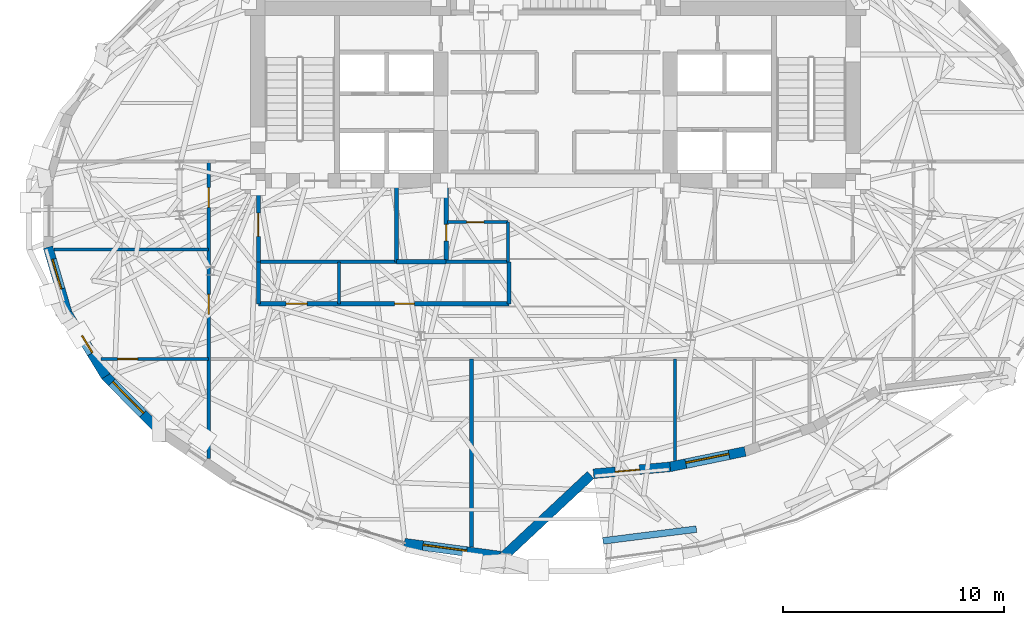
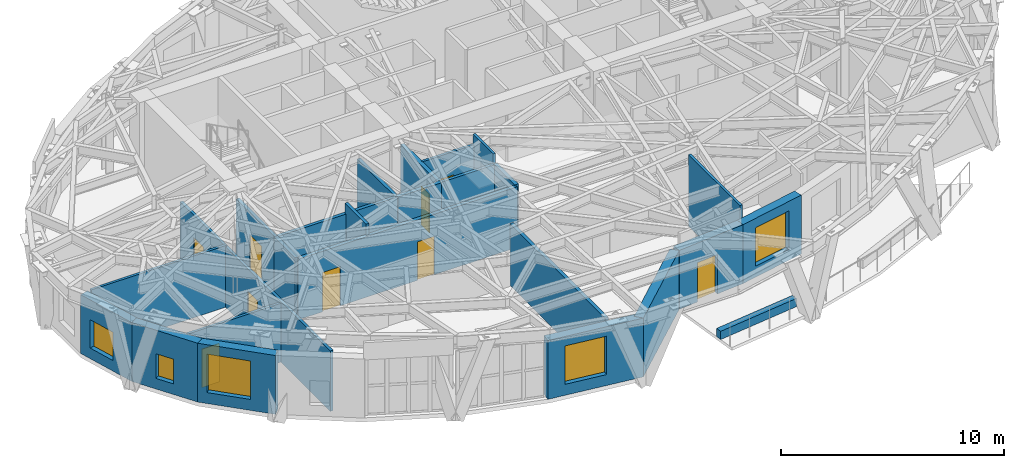
# One storey, part 8 of 15: 25 walls, 9 doors, 5 windows, 14 openings.
"""IFC4 building model written with IfcOpenShell, lengths in metres."""

from ifc_helpers import new_model, si_unit, direction, frame, frame_2d, origin, place, context, subcontext, project, spatial, rectangle, extrude, material, layer, layer_set, type_object, element, fill, save


model = new_model("IFC4")

# Units and contexts
model_context = context("Model", 3, precision=1e-05, world=origin(), true_north=direction((0.0, 1.0)))
body_context = subcontext(model_context, "Body", "Model", "MODEL_VIEW")
ifc_project = project(units=[si_unit("LENGTHUNIT", "METRE"), si_unit("AREAUNIT", "SQUARE_METRE"), si_unit("VOLUMEUNIT", "CUBIC_METRE"), si_unit("PLANEANGLEUNIT", "RADIAN"), si_unit("MASSUNIT", "GRAM", prefix="KILO")], contexts=[model_context])

# Site, building, storey
site_placement = place(None, origin())
site = spatial("IfcSite", under=ifc_project, at=site_placement, CompositionType="ELEMENT")
building_placement = place(site_placement, origin())
building = spatial("IfcBuilding", under=site, at=building_placement, Name="Keldmark Tower", CompositionType="ELEMENT")
storey_placement = place(building_placement, frame((0.0, 0.0, 205.89990234375)))
storey = spatial("IfcBuildingStorey", under=building, at=storey_placement, Name="L57", CompositionType="ELEMENT", Elevation=205.89990234375)

# Wall, openings, doors
ifc_material_1 = material(Name="Acoustic Double-Layer Gypsum Corridor Partition", Category="gypsum")
ifc_layer_1 = layer(ifc_material_1, 0.139892578125)
ifc_layer_set_1 = layer_set([ifc_layer_1], Name="Acoustic Double-Layer Gypsum Corridor Partition")
wall_type_1 = type_object("IfcWallType", Name="Acoustic Corridor Partition 140 mm", PredefinedType="PARTITIONING", material=ifc_layer_set_1)
wall_1_placement = place(storey_placement, frame((-15.699951171875, -11.04931640625, 0.0), z_axis=(0.0, 0.0, 1.0), x_axis=(0.0, 1.0, 0.0)))
wall_1 = element("IfcWall", 1, at=wall_1_placement, inside=storey, type_object=wall_type_1, Name="L57 Acoustic Corridor Partition 140 mm COR-W", PredefinedType="PARTITIONING", context=body_context, shape_type="SweptSolid", body=[
    extrude(rectangle(XDim=13.44921875, YDim=0.139892578125, at=frame_2d((6.724609375, 0.0))), origin(), (0.0, 0.0, 1.0), 3.30712890625),
])
opening_1_placement = place(wall_1_placement, frame((6.5244140625, 0.0, 0.0)))
opening_1 = element("IfcOpeningElement", 2, at=opening_1_placement, cuts=wall_1, Name="Opening D-IN090", PredefinedType="OPENING", context=body_context, shape_type="SweptSolid", body=[
    extrude(rectangle(XDim=0.89990234375, YDim=2.10009765625, at=frame_2d((0.449951171875, 1.050048828125))), frame((0.0, 0.079833984375, 0.0), z_axis=(0.0, -1.0, 0.0), x_axis=(1.0, 0.0, 0.0)), (0.0, 0.0, 1.0), 0.159912109375),
])
opening_2_placement = place(wall_1_placement, frame((11.359619140625, 0.0, 0.0)))
opening_2 = element("IfcOpeningElement", 3, at=opening_2_placement, cuts=wall_1, Name="Opening D-IN090", PredefinedType="OPENING", context=body_context, shape_type="SweptSolid", body=[
    extrude(rectangle(XDim=0.89990234375, YDim=2.10009765625, at=frame_2d((0.449951171875, 1.050048828125))), frame((0.0, 0.079833984375, 0.0), z_axis=(0.0, -1.0, 0.0), x_axis=(1.0, 0.0, 0.0)), (0.0, 0.0, 1.0), 0.159912109375),
])
ifc_material_2 = material(Name="Stained American White Oak Veneer", Category="wood")
door_type_1 = type_object("IfcDoorType", Name="Interior Door 900x2100", OperationType="NOTDEFINED", PredefinedType="DOOR", material=ifc_material_2)
door_1_placement = place(opening_1_placement, origin())
door_1 = element("IfcDoor", 4, at=door_1_placement, inside=storey, type_object=door_type_1, Name="L57 Interior Door 900x2100 D-WR-1-L57", OperationType="SINGLE_SWING_LEFT", OverallHeight=2.10009765625, OverallWidth=0.89990234375, PredefinedType="DOOR", context=body_context, shape_type="SweptSolid", body=[
    extrude(rectangle(XDim=0.89990234375, YDim=2.10009765625, at=frame_2d((0.449951171875, 1.050048828125))), frame((0.0, 0.02490234375, 0.0), z_axis=(0.0, -1.0, 0.0), x_axis=(1.0, 0.0, 0.0)), (0.0, 0.0, 1.0), 0.050048828125),
])
fill(opening_1, door_1)
door_2_placement = place(opening_2_placement, origin())
door_2 = element("IfcDoor", 5, at=door_2_placement, inside=storey, type_object=door_type_1, Name="L57 Interior Door 900x2100 D-WR-2-L57", OperationType="SINGLE_SWING_RIGHT", OverallHeight=2.10009765625, OverallWidth=0.89990234375, PredefinedType="DOOR", context=body_context, shape_type="SweptSolid", body=[
    extrude(rectangle(XDim=0.89990234375, YDim=2.10009765625, at=frame_2d((0.449951171875, 1.050048828125))), frame((0.0, 0.02490234375, 0.0), z_axis=(0.0, -1.0, 0.0), x_axis=(1.0, 0.0, 0.0)), (0.0, 0.0, 1.0), 0.050048828125),
])
fill(opening_2, door_2)

# Wall
ifc_material_3 = material(Name="STC-58 Insulated Tenant Demising Gypsum Partition", Category="gypsum")
ifc_layer_2 = layer(ifc_material_3, 0.175048828125)
ifc_layer_set_2 = layer_set([ifc_layer_2], Name="STC-58 Insulated Tenant Demising Gypsum Partition")
wall_type_2 = type_object("IfcWallType", Name="Demising Suite Partition 175 mm", PredefinedType="PARTITIONING", material=ifc_layer_set_2)
wall_2_placement = place(storey_placement, frame((-3.800048828125, -15.0673828125, 0.0), z_axis=(0.0, 0.0, 1.0), x_axis=(0.0, 1.0, 0.0)))
element("IfcWall", 6, at=wall_2_placement, inside=storey, type_object=wall_type_2, Name="L57 Demising Suite Partition 175 mm S-DIV-1", PredefinedType="PARTITIONING", context=body_context, shape_type="SweptSolid", body=[
    extrude(rectangle(XDim=8.517333984375, YDim=0.175048828125, at=frame_2d((4.2587890625, 0.0))), origin(), (0.0, 0.0, 1.0), 3.373046875),
])

# Wall, openings, doors
ifc_material_4 = material(Name="Heavy Acoustic Plumbing Chase Gypsum Assembly", Category="gypsum")
ifc_layer_3 = layer(ifc_material_4, 0.18994140625)
ifc_layer_set_3 = layer_set([ifc_layer_3], Name="Heavy Acoustic Plumbing Chase Gypsum Assembly")
wall_type_3 = type_object("IfcWallType", Name="Heavy Wet Wall 190 mm", PredefinedType="PLUMBINGWALL", material=ifc_layer_set_3)
wall_3_placement = place(storey_placement, frame((-13.449951171875, -4.050048828125, 0.0), z_axis=(0.0, 0.0, 1.0), x_axis=(1.0, 0.0, 0.0)))
wall_3 = element("IfcWall", 7, at=wall_3_placement, inside=storey, type_object=wall_type_3, Name="L57 Heavy Wet Wall 190 mm SPK-W-S", PredefinedType="PLUMBINGWALL", context=body_context, shape_type="SweptSolid", body=[
    extrude(rectangle(XDim=11.349853515625, YDim=0.18994140625, at=frame_2d((5.6748046875, 0.0))), origin(), (0.0, 0.0, 1.0), 3.30712890625),
])
opening_3_placement = place(wall_3_placement, frame((1.25, 0.0, 0.0)))
opening_3 = element("IfcOpeningElement", 8, at=opening_3_placement, cuts=wall_3, Name="Opening D-AWC95", PredefinedType="OPENING", context=body_context, shape_type="SweptSolid", body=[
    extrude(rectangle(XDim=0.949951171875, YDim=2.14990234375, at=frame_2d((0.47509765625, 1.074951171875))), frame((0.0, 0.10498046875, 0.0), z_axis=(0.0, -1.0, 0.0), x_axis=(1.0, 0.0, 0.0)), (0.0, 0.0, 1.0), 0.2099609375),
])
opening_4_placement = place(wall_3_placement, frame((6.159912109375, 0.0, 0.0)))
opening_4 = element("IfcOpeningElement", 9, at=opening_4_placement, cuts=wall_3, Name="Opening D-IN090", PredefinedType="OPENING", context=body_context, shape_type="SweptSolid", body=[
    extrude(rectangle(XDim=0.89990234375, YDim=2.10009765625, at=frame_2d((0.449951171875, 1.050048828125))), frame((0.0, 0.10498046875, 0.0), z_axis=(0.0, -1.0, 0.0), x_axis=(1.0, 0.0, 0.0)), (0.0, 0.0, 1.0), 0.2099609375),
])
ifc_material_5 = material(Name="Painted Solid-Core Architectural Wood", Category="wood")
door_type_2 = type_object("IfcDoorType", Name="Accessible WC Door 950x2150", OperationType="NOTDEFINED", PredefinedType="DOOR", material=ifc_material_5)
door_3_placement = place(opening_3_placement, origin())
door_3 = element("IfcDoor", 10, at=door_3_placement, inside=storey, type_object=door_type_2, Name="L57 Accessible WC Door 950x2150 D-SPKW1-L57", OperationType="SINGLE_SWING_LEFT", OverallHeight=2.14990234375, OverallWidth=0.949951171875, PredefinedType="DOOR", context=body_context, shape_type="SweptSolid", body=[
    extrude(rectangle(XDim=0.949951171875, YDim=2.14990234375, at=frame_2d((0.47509765625, 1.074951171875))), frame((0.0, 0.02490234375, 0.0), z_axis=(0.0, -1.0, 0.0), x_axis=(1.0, 0.0, 0.0)), (0.0, 0.0, 1.0), 0.050048828125),
])
fill(opening_3, door_3)
door_4_placement = place(opening_4_placement, origin())
door_4 = element("IfcDoor", 11, at=door_4_placement, inside=storey, type_object=door_type_1, Name="L57 Interior Door 900x2100 D-SPKW2-L57", OperationType="SINGLE_SWING_RIGHT", OverallHeight=2.10009765625, OverallWidth=0.89990234375, PredefinedType="DOOR", context=body_context, shape_type="SweptSolid", body=[
    extrude(rectangle(XDim=0.89990234375, YDim=2.10009765625, at=frame_2d((0.449951171875, 1.050048828125))), frame((0.0, 0.02490234375, 0.0), z_axis=(0.0, -1.0, 0.0), x_axis=(1.0, 0.0, 0.0)), (0.0, 0.0, 1.0), 0.050048828125),
])
fill(opening_4, door_4)

# Walls
for number, where, z_axis, x_axis, name in (
    (12, (-13.449951171875, -4.050048828125, 0.0), (0.0, 0.0, 1.0), (0.0, 1.0, 0.0), "L57 Heavy Wet Wall 190 mm SPK-W-W"),
    (13, (-2.10009765625, -4.050048828125, 0.0), (0.0, 0.0, 1.0), (0.0, 1.0, 0.0), "L57 Heavy Wet Wall 190 mm SPK-W-E"),
):
    element("IfcWall", number, at=place(storey_placement, frame(where, z_axis=z_axis, x_axis=x_axis)), inside=storey, type_object=wall_type_3, Name=name, PredefinedType="PLUMBINGWALL", context=body_context, shape_type="SweptSolid", body=[
        extrude(rectangle(XDim=1.900146484375, YDim=0.18994140625, at=frame_2d((0.9501953125, 0.0))), origin(), (0.0, 0.0, 1.0), 3.373046875),
    ])

# Wall, opening, door
ifc_material_6 = material(Name="Acoustic Gypsum Board Interior Partition", Category="gypsum")
ifc_layer_4 = layer(ifc_material_6, 0.1298828125)
ifc_layer_set_4 = layer_set([ifc_layer_4], Name="Acoustic Gypsum Board Interior Partition")
wall_type_4 = type_object("IfcWallType", Name="Interior Partition 130 mm", PredefinedType="PARTITIONING", material=ifc_layer_set_4)
wall_4_placement = place(storey_placement, frame((-4.8798828125, -0.35009765625, 0.0), z_axis=(0.0, 0.0, 1.0), x_axis=(1.0, 0.0, 0.0)))
wall_4 = element("IfcWall", 14, at=wall_4_placement, inside=storey, type_object=wall_type_4, Name="L57 Interior Partition 130 mm CSC-W-N", PredefinedType="PARTITIONING", context=body_context, shape_type="SweptSolid", body=[
    extrude(rectangle(XDim=2.72998046875, YDim=0.1298828125, at=frame_2d((1.364990234375, 0.0))), origin(), (0.0, 0.0, 1.0), 3.373046875),
])
opening_5_placement = place(wall_4_placement, frame((0.85009765625, 0.0, 0.0)))
opening_5 = element("IfcOpeningElement", 15, at=opening_5_placement, cuts=wall_4, Name="Opening D-CL078", PredefinedType="OPENING", context=body_context, shape_type="SweptSolid", body=[
    extrude(rectangle(XDim=0.780029296875, YDim=2.10009765625, at=frame_2d((0.39013671875, 1.050048828125))), frame((0.0, 0.074951171875, 0.0), z_axis=(0.0, -1.0, 0.0), x_axis=(1.0, 0.0, 0.0)), (0.0, 0.0, 1.0), 0.14990234375),
])
ifc_material_7 = material(Name="Flush Utility Closet Timber Door", Category="wood")
door_type_3 = type_object("IfcDoorType", Name="Closet Door 780x2100", OperationType="NOTDEFINED", PredefinedType="DOOR", material=ifc_material_7)
door_5_placement = place(opening_5_placement, origin())
door_5 = element("IfcDoor", 16, at=door_5_placement, inside=storey, type_object=door_type_3, Name="L57 Closet Door 780x2100 D-CSCW1-L57", OperationType="SINGLE_SWING_LEFT", OverallHeight=2.10009765625, OverallWidth=0.780029296875, PredefinedType="DOOR", context=body_context, shape_type="SweptSolid", body=[
    extrude(rectangle(XDim=0.780029296875, YDim=2.10009765625, at=frame_2d((0.39013671875, 1.050048828125))), frame((0.0, 0.02490234375, 0.0), z_axis=(0.0, -1.0, 0.0), x_axis=(1.0, 0.0, 0.0)), (0.0, 0.0, 1.0), 0.050048828125),
])
fill(opening_5, door_5)

# Walls
wall_5_placement = place(storey_placement, frame((-2.14990234375, -2.14990234375, 0.0), z_axis=(0.0, 0.0, 1.0), x_axis=(0.0, 1.0, 0.0)))
element("IfcWall", 17, at=wall_5_placement, inside=storey, type_object=wall_type_4, Name="L57 Interior Partition 130 mm CSC-W-E", PredefinedType="PARTITIONING", context=body_context, shape_type="SweptSolid", body=[
    extrude(rectangle(XDim=1.7998046875, YDim=0.1298828125, at=frame_2d((0.89990234375, 0.0))), origin(), (0.0, 0.0, 1.0), 3.920166015625),
])
wall_6_placement = place(storey_placement, frame((5.39990234375, -11.155029296875, 0.0), z_axis=(0.0, 0.0, 1.0), x_axis=(0.0, 1.0, 0.0)))
element("IfcWall", 18, at=wall_6_placement, inside=storey, type_object=wall_type_4, Name="L57 Interior Partition 130 mm S-DIV-2", PredefinedType="PARTITIONING", context=body_context, shape_type="SweptSolid", body=[
    extrude(rectangle(XDim=4.60498046875, YDim=0.1298828125, at=frame_2d((2.302490234375, 0.0))), origin(), (0.0, 0.0, 1.0), 3.920166015625),
])

# Wall, opening, door
wall_7_placement = place(storey_placement, frame((-20.572509765625, -6.550048828125, 0.0), z_axis=(0.0, 0.0, 1.0), x_axis=(1.0, 0.0, 0.0)))
wall_7 = element("IfcWall", 19, at=wall_7_placement, inside=storey, type_object=wall_type_4, Name="L57 Interior Partition 130 mm W-CAP-S", PredefinedType="PARTITIONING", context=body_context, shape_type="SweptSolid", body=[
    extrude(rectangle(XDim=4.87255859375, YDim=0.1298828125, at=frame_2d((2.436279296875, 0.0))), origin(), (0.0, 0.0, 1.0), 3.217041015625),
])
opening_6_placement = place(wall_7_placement, frame((0.75, 0.0, 0.0)))
opening_6 = element("IfcOpeningElement", 20, at=opening_6_placement, cuts=wall_7, Name="Opening D-IN090", PredefinedType="OPENING", context=body_context, shape_type="SweptSolid", body=[
    extrude(rectangle(XDim=0.89990234375, YDim=2.10009765625, at=frame_2d((0.449951171875, 1.050048828125))), frame((0.0, 0.074951171875, 0.0), z_axis=(0.0, -1.0, 0.0), x_axis=(1.0, 0.0, 0.0)), (0.0, 0.0, 1.0), 0.14990234375),
])
door_6_placement = place(opening_6_placement, origin())
door_6 = element("IfcDoor", 21, at=door_6_placement, inside=storey, type_object=door_type_1, Name="L57 Interior Door 900x2100 D-WRSW-L57", OperationType="SINGLE_SWING_RIGHT", OverallHeight=2.10009765625, OverallWidth=0.89990234375, PredefinedType="DOOR", context=body_context, shape_type="SweptSolid", body=[
    extrude(rectangle(XDim=0.89990234375, YDim=2.10009765625, at=frame_2d((0.449951171875, 1.050048828125))), frame((0.0, 0.02490234375, 0.0), z_axis=(0.0, -1.0, 0.0), x_axis=(1.0, 0.0, 0.0)), (0.0, 0.0, 1.0), 0.050048828125),
])
fill(opening_6, door_6)

# Walls
wall_8_placement = place(storey_placement, frame((-22.705810546875, -1.60009765625, 0.0), z_axis=(0.0, 0.0, 1.0), x_axis=(1.0, 0.0, 0.0)))
element("IfcWall", 22, at=wall_8_placement, inside=storey, type_object=wall_type_4, Name="L57 Interior Partition 130 mm W-DIV-1", PredefinedType="PARTITIONING", context=body_context, shape_type="SweptSolid", body=[
    extrude(rectangle(XDim=7.005859375, YDim=0.1298828125, at=frame_2d((3.5029296875, 0.0))), origin(), (0.0, 0.0, 1.0), 3.373046875),
])
ifc_material_8 = material(Name="Type X Fire-Rated Gypsum Partition Assembly", Category="gypsum")
ifc_layer_5 = layer(ifc_material_8, 0.1650390625)
ifc_layer_set_5 = layer_set([ifc_layer_5], Name="Type X Fire-Rated Gypsum Partition Assembly")
wall_type_5 = type_object("IfcWallType", Name="Rated Partition 165 mm", PredefinedType="PARTITIONING", material=ifc_layer_set_5)
wall_9_placement = place(storey_placement, frame((-13.449951171875, -2.14990234375, 0.0), z_axis=(0.0, 0.0, 1.0), x_axis=(1.0, 0.0, 0.0)))
element("IfcWall", 23, at=wall_9_placement, inside=storey, type_object=wall_type_5, Name="L57 Rated Partition 165 mm FSAE-W-S", PredefinedType="PARTITIONING", context=body_context, shape_type="SweptSolid", body=[
    extrude(rectangle(XDim=6.25, YDim=0.1650390625, at=frame_2d((3.125, 0.0))), origin(), (0.0, 0.0, 1.0), 3.373046875),
])

# Wall, opening, door
wall_10_placement = place(storey_placement, frame((-13.449951171875, -2.14990234375, 0.0), z_axis=(0.0, 0.0, 1.0), x_axis=(0.0, 1.0, 0.0)))
wall_10 = element("IfcWall", 24, at=wall_10_placement, inside=storey, type_object=wall_type_5, Name="L57 Rated Partition 165 mm FSAE-W-W", PredefinedType="PARTITIONING", context=body_context, shape_type="SweptSolid", body=[
    extrude(rectangle(XDim=3.39990234375, YDim=0.1650390625, at=frame_2d((1.699951171875, 0.0))), origin(), (0.0, 0.0, 1.0), 3.373046875),
])
opening_7_placement = place(wall_10_placement, frame((1.14990234375, 0.0, 0.0)))
opening_7 = element("IfcOpeningElement", 25, at=opening_7_placement, cuts=wall_10, Name="Opening D-FL105", PredefinedType="OPENING", context=body_context, shape_type="SweptSolid", body=[
    extrude(rectangle(XDim=1.050048828125, YDim=2.14990234375, at=frame_2d((0.52490234375, 1.074951171875))), frame((0.0, 0.092529296875, 0.0), z_axis=(0.0, -1.0, 0.0), x_axis=(1.0, 0.0, 0.0)), (0.0, 0.0, 1.0), 0.18505859375),
])
ifc_material_9 = material(Name="Fire-Rated Mineral-Core Door and Vision Lite", Category="metal")
door_type_4 = type_object("IfcDoorType", Name="Fire Lobby Door 1050x2150", OperationType="NOTDEFINED", PredefinedType="DOOR", material=ifc_material_9)
door_7_placement = place(opening_7_placement, origin())
door_7 = element("IfcDoor", 26, at=door_7_placement, inside=storey, type_object=door_type_4, Name="L57 Fire Lobby Door 1050x2150 D-FSAEW-OUT-L57", OperationType="SINGLE_SWING_LEFT", OverallHeight=2.14990234375, OverallWidth=1.050048828125, PredefinedType="DOOR", context=body_context, shape_type="SweptSolid", body=[
    extrude(rectangle(XDim=1.050048828125, YDim=2.14990234375, at=frame_2d((0.52490234375, 1.074951171875))), frame((0.0, 0.02490234375, 0.0), z_axis=(0.0, -1.0, 0.0), x_axis=(1.0, 0.0, 0.0)), (0.0, 0.0, 1.0), 0.050048828125),
])
fill(opening_7, door_7)

# Walls
wall_11_placement = place(storey_placement, frame((-7.199951171875, -2.14990234375, 0.0), z_axis=(0.0, 0.0, 1.0), x_axis=(0.0, 1.0, 0.0)))
element("IfcWall", 27, at=wall_11_placement, inside=storey, type_object=wall_type_5, Name="L57 Rated Partition 165 mm FSAE-W-E", PredefinedType="PARTITIONING", context=body_context, shape_type="SweptSolid", body=[
    extrude(rectangle(XDim=3.39990234375, YDim=0.1650390625, at=frame_2d((1.699951171875, 0.0))), origin(), (0.0, 0.0, 1.0), 3.373046875),
])
ifc_material_10 = material(Name="Fire-Resistant Type X Gypsum Shaftliner Coreboard", Category="gypsum")
ifc_layer_6 = layer(ifc_material_10, 0.199951171875)
ifc_layer_set_6 = layer_set([ifc_layer_6], Name="Fire-Resistant Type X Gypsum Shaftliner Coreboard")
wall_type_6 = type_object("IfcWallType", Name="Shaft Wall 200 mm", PredefinedType="SOLIDWALL", material=ifc_layer_set_6)
wall_12_placement = place(storey_placement, frame((-7.199951171875, -2.14990234375, 0.0), z_axis=(0.0, 0.0, 1.0), x_axis=(1.0, 0.0, 0.0)))
element("IfcWall", 28, at=wall_12_placement, inside=storey, type_object=wall_type_6, Name="L57 Shaft Wall 200 mm RIS-SW-S", PredefinedType="SOLIDWALL", context=body_context, shape_type="SweptSolid", body=[
    extrude(rectangle(XDim=2.25, YDim=0.199951171875, at=frame_2d((1.125, 0.0))), origin(), (0.0, 0.0, 1.0), 3.373046875),
])

# Wall, opening, door
wall_13_placement = place(storey_placement, frame((-4.949951171875, -2.14990234375, 0.0), z_axis=(0.0, 0.0, 1.0), x_axis=(0.0, 1.0, 0.0)))
wall_13 = element("IfcWall", 29, at=wall_13_placement, inside=storey, type_object=wall_type_6, Name="L57 Shaft Wall 200 mm RIS-SW-E", PredefinedType="SOLIDWALL", context=body_context, shape_type="SweptSolid", body=[
    extrude(rectangle(XDim=3.39990234375, YDim=0.199951171875, at=frame_2d((1.699951171875, 0.0))), origin(), (0.0, 0.0, 1.0), 3.373046875),
])
opening_8_placement = place(wall_13_placement, frame((0.949951171875, 0.0, 0.0)))
opening_8 = element("IfcOpeningElement", 30, at=opening_8_placement, cuts=wall_13, Name="Opening D-RS075", PredefinedType="OPENING", context=body_context, shape_type="SweptSolid", body=[
    extrude(rectangle(XDim=0.75, YDim=2.10009765625, at=frame_2d((0.375, 1.050048828125))), frame((0.0, 0.10986328125, 0.0), z_axis=(0.0, -1.0, 0.0), x_axis=(1.0, 0.0, 0.0)), (0.0, 0.0, 1.0), 0.219970703125),
])
ifc_material_11 = material(Name="Galvanized Fire-Rated Access Leaf", Category="metal")
door_type_5 = type_object("IfcDoorType", Name="Riser Access Door 750x2100", OperationType="NOTDEFINED", PredefinedType="DOOR", material=ifc_material_11)
door_8_placement = place(opening_8_placement, origin())
door_8 = element("IfcDoor", 31, at=door_8_placement, inside=storey, type_object=door_type_5, Name="L57 Riser Access Door 750x2100 D-RISSW-L57", OperationType="SINGLE_SWING_RIGHT", OverallHeight=2.10009765625, OverallWidth=0.75, PredefinedType="DOOR", context=body_context, shape_type="SweptSolid", body=[
    extrude(rectangle(XDim=0.75, YDim=2.10009765625, at=frame_2d((0.375, 1.050048828125))), frame((0.0, 0.02490234375, 0.0), z_axis=(0.0, -1.0, 0.0), x_axis=(1.0, 0.0, 0.0)), (0.0, 0.0, 1.0), 0.050048828125),
])
fill(opening_8, door_8)

# Wall
ifc_material_12 = material(Name="Ironspot Manganese Brick Planter Masonry", Category="masonry")
ifc_layer_7 = layer(ifc_material_12, 0.300048828125)
ifc_layer_set_7 = layer_set([ifc_layer_7], Name="Ironspot Manganese Brick Planter Masonry")
wall_type_7 = type_object("IfcWallType", Name="Terrace Brick Planter Kerb Wall 300 mm", PredefinedType="PARAPET", material=ifc_layer_set_7)
wall_14_placement = place(storey_placement, frame((2.147216796875, -14.78369140625, 0.0), z_axis=(0.0, 0.0, 1.0), x_axis=(0.992200125786, 0.124655165919, 0.0)))
element("IfcWall", 32, at=wall_14_placement, inside=storey, type_object=wall_type_7, Name="L57 Sky Garden Planter 01", PredefinedType="PARAPET", context=body_context, shape_type="SweptSolid", body=[
    extrude(rectangle(XDim=4.26171875, YDim=0.300048828125, at=frame_2d((2.130859375, 0.0))), origin(), (0.0, 0.0, 1.0), 0.4501953125),
])

# Wall, opening, window
ifc_material_13 = material(Name="Ironspot Manganese Brick and Kasota Buff Limestone Spandrel Assembly", Category="masonry")
ifc_layer_8 = layer(ifc_material_13, 0.43994140625)
ifc_layer_set_8 = layer_set([ifc_layer_8], Name="Ironspot Manganese Brick and Kasota Buff Limestone Spandrel Assembly")
wall_type_8 = type_object("IfcWallType", Name="Tower Brick Pier and Spandrel Wall 440 mm", PredefinedType="STANDARD", material=ifc_layer_set_8)
wall_15_placement = place(storey_placement, frame((-22.085693359375, -4.524658203125, 0.0), z_axis=(0.0, 0.0, 1.0), x_axis=(-0.281477355005, 0.959567870773, 0.0)))
wall_15 = element("IfcWall", 33, at=wall_15_placement, inside=storey, type_object=wall_type_8, Name="L57 Exterior Brick and Spandrel Wall 17", PredefinedType="STANDARD", context=body_context, shape_type="SweptSolid", body=[
    extrude(rectangle(XDim=3.165771484375, YDim=0.43994140625, at=frame_2d((1.5830078125, 0.0))), origin(), (0.0, 0.0, 1.0), 3.215087890625),
])
opening_9_placement = place(wall_15_placement, frame((1.175537109375, 0.0, 0.580078125)))
opening_9 = element("IfcOpeningElement", 34, at=opening_9_placement, cuts=wall_15, Name="Opening W-08", PredefinedType="OPENING", context=body_context, shape_type="SweptSolid", body=[
    extrude(rectangle(XDim=1.39990234375, YDim=1.550048828125, at=frame_2d((0.699951171875, 0.77490234375))), frame((0.0, 0.22998046875, 0.0), z_axis=(0.0, -1.0, 0.0), x_axis=(1.0, 0.0, 0.0)), (0.0, 0.0, 1.0), 0.4599609375),
])
ifc_material_14 = material(Name="Thermally Broken Anodized Aluminum and Triple Low-E Argon Glazing", Category="aluminium")
window_type_1 = type_object("IfcWindowType", Name="Residential Corner Punched Window 1400x1550", PartitioningType="SINGLE_PANEL", PredefinedType="WINDOW", material=ifc_material_14)
window_1_placement = place(opening_9_placement, origin())
window_1 = element("IfcWindow", 35, at=window_1_placement, inside=storey, type_object=window_type_1, Name="L57 Deep-Set Window 17", OverallHeight=1.550048828125, OverallWidth=1.39990234375, PartitioningType="SINGLE_PANEL", PredefinedType="WINDOW", context=body_context, shape_type="SweptSolid", body=[
    extrude(rectangle(XDim=1.39990234375, YDim=1.550048828125, at=frame_2d((0.699951171875, 0.77490234375))), frame((0.0, -0.010009765625, 0.0), z_axis=(0.0, -1.0, 0.0), x_axis=(1.0, 0.0, 0.0)), (0.0, 0.0, 1.0), 0.06005859375),
])
fill(opening_9, window_1)

wall_16_placement = place(storey_placement, frame((-20.361083984375, -7.33349609375, 0.0), z_axis=(0.0, 0.0, 1.0), x_axis=(-0.521214394333, 0.853425775999, 0.0)))
wall_16 = element("IfcWall", 36, at=wall_16_placement, inside=storey, type_object=wall_type_8, Name="L57 Exterior Brick and Spandrel Wall 18", PredefinedType="STANDARD", context=body_context, shape_type="SweptSolid", body=[
    extrude(rectangle(XDim=3.353271484375, YDim=0.43994140625, at=frame_2d((1.6767578125, 0.0))), origin(), (0.0, 0.0, 1.0), 3.215087890625),
])
opening_10_placement = place(wall_16_placement, frame((1.2265625, 0.0, 0.580078125)))
opening_10 = element("IfcOpeningElement", 37, at=opening_10_placement, cuts=wall_16, Name="Opening W-09", PredefinedType="OPENING", context=body_context, shape_type="SweptSolid", body=[
    extrude(rectangle(XDim=0.89990234375, YDim=1.35009765625, at=frame_2d((0.449951171875, 0.675048828125))), frame((0.0, 0.22998046875, 0.0), z_axis=(0.0, -1.0, 0.0), x_axis=(1.0, 0.0, 0.0)), (0.0, 0.0, 1.0), 0.4599609375),
])
ifc_material_15 = material(Name="Thermally Broken Anodized Aluminum and Triple Low-E Argon Glazing", Category="aluminium")
window_type_2 = type_object("IfcWindowType", Name="Corner Pier Deep-Set Window 900x1350", PartitioningType="SINGLE_PANEL", PredefinedType="WINDOW", material=ifc_material_15)
window_2_placement = place(opening_10_placement, origin())
window_2 = element("IfcWindow", 38, at=window_2_placement, inside=storey, type_object=window_type_2, Name="L57 Deep-Set Window 18", OverallHeight=1.35009765625, OverallWidth=0.89990234375, PartitioningType="SINGLE_PANEL", PredefinedType="WINDOW", context=body_context, shape_type="SweptSolid", body=[
    extrude(rectangle(XDim=0.89990234375, YDim=1.35009765625, at=frame_2d((0.449951171875, 0.675048828125))), frame((0.0, -0.010009765625, 0.0), z_axis=(0.0, -1.0, 0.0), x_axis=(1.0, 0.0, 0.0)), (0.0, 0.0, 1.0), 0.06005859375),
])
fill(opening_10, window_2)

wall_17_placement = place(storey_placement, frame((-17.8544921875, -9.868896484375, 0.0), z_axis=(0.0, 0.0, 1.0), x_axis=(-0.701887992659, 0.712287333708, 0.0)))
wall_17 = element("IfcWall", 39, at=wall_17_placement, inside=storey, type_object=wall_type_8, Name="L57 Exterior Brick and Spandrel Wall 19", PredefinedType="STANDARD", context=body_context, shape_type="SweptSolid", body=[
    extrude(rectangle(XDim=3.615478515625, YDim=0.43994140625, at=frame_2d((1.8076171875, 0.0))), origin(), (0.0, 0.0, 1.0), 3.215087890625),
])
opening_11_placement = place(wall_17_placement, frame((1.17236328125, 0.0, 0.60009765625)))
opening_11 = element("IfcOpeningElement", 40, at=opening_11_placement, cuts=wall_17, Name="Opening W-06", PredefinedType="OPENING", context=body_context, shape_type="SweptSolid", body=[
    extrude(rectangle(XDim=2.0, YDim=2.10009765625, at=frame_2d((1.0, 1.050048828125))), frame((0.0, 0.22998046875, 0.0), z_axis=(0.0, -1.0, 0.0), x_axis=(1.0, 0.0, 0.0)), (0.0, 0.0, 1.0), 0.4599609375),
])
ifc_material_16 = material(Name="Thermally Broken Anodized Aluminum and Triple Low-E Argon Glazing", Category="aluminium")
window_type_3 = type_object("IfcWindowType", Name="Sky Lounge Tall Punched Window 2000x2100", PartitioningType="SINGLE_PANEL", PredefinedType="WINDOW", material=ifc_material_16)
window_3_placement = place(opening_11_placement, origin())
window_3 = element("IfcWindow", 41, at=window_3_placement, inside=storey, type_object=window_type_3, Name="L57 Deep-Set Window 19", OverallHeight=2.10009765625, OverallWidth=2.0, PartitioningType="SINGLE_PANEL", PredefinedType="WINDOW", context=body_context, shape_type="SweptSolid", body=[
    extrude(rectangle(XDim=2.0, YDim=2.10009765625, at=frame_2d((1.0, 1.050048828125))), frame((0.0, -0.010009765625, 0.0), z_axis=(0.0, -1.0, 0.0), x_axis=(1.0, 0.0, 0.0)), (0.0, 0.0, 1.0), 0.06005859375),
])
fill(opening_11, window_3)

wall_18_placement = place(storey_placement, frame((-2.25439453125, -15.505859375, 0.0), z_axis=(0.0, 0.0, 1.0), x_axis=(-0.991027382985, 0.133658992119, 0.0)))
wall_18 = element("IfcWall", 42, at=wall_18_placement, inside=storey, type_object=wall_type_8, Name="L57 Exterior Brick and Spandrel Wall 23", PredefinedType="STANDARD", context=body_context, shape_type="SweptSolid", body=[
    extrude(rectangle(XDim=4.63037109375, YDim=0.43994140625, at=frame_2d((2.315185546875, 0.0))), origin(), (0.0, 0.0, 1.0), 3.215087890625),
])
opening_12_placement = place(wall_18_placement, frame((1.785888671875, 0.0, 0.60009765625)))
opening_12 = element("IfcOpeningElement", 43, at=opening_12_placement, cuts=wall_18, Name="Opening W-06", PredefinedType="OPENING", context=body_context, shape_type="SweptSolid", body=[
    extrude(rectangle(XDim=2.0, YDim=2.10009765625, at=frame_2d((1.0, 1.050048828125))), frame((0.0, 0.22998046875, 0.0), z_axis=(0.0, -1.0, 0.0), x_axis=(1.0, 0.0, 0.0)), (0.0, 0.0, 1.0), 0.4599609375),
])
window_4_placement = place(opening_12_placement, origin())
window_4 = element("IfcWindow", 44, at=window_4_placement, inside=storey, type_object=window_type_3, Name="L57 Deep-Set Window 23", OverallHeight=2.10009765625, OverallWidth=2.0, PartitioningType="SINGLE_PANEL", PredefinedType="WINDOW", context=body_context, shape_type="SweptSolid", body=[
    extrude(rectangle(XDim=2.0, YDim=2.10009765625, at=frame_2d((1.0, 1.050048828125))), frame((0.0, -0.010009765625, 0.0), z_axis=(0.0, -1.0, 0.0), x_axis=(1.0, 0.0, 0.0)), (0.0, 0.0, 1.0), 0.06005859375),
])
fill(opening_12, window_4)

# Wall
wall_19_placement = place(storey_placement, frame((1.58740234375, -11.802734375, 0.0), z_axis=(0.0, 0.0, 1.0), x_axis=(-0.730410553277, -0.683008362805, 0.0)))
element("IfcWall", 45, at=wall_19_placement, inside=storey, type_object=wall_type_8, Name="L57 Exterior Brick and Spandrel Wall 24", PredefinedType="STANDARD", context=body_context, shape_type="SweptSolid", body=[
    extrude(rectangle(XDim=5.505859375, YDim=0.43994140625, at=frame_2d((2.7529296875, 0.0))), origin(), (0.0, 0.0, 1.0), 3.218994140625),
])

# Wall, opening, door
wall_20_placement = place(storey_placement, frame((5.192138671875, -11.431884765625, 0.0), z_axis=(0.0, 0.0, 1.0), x_axis=(-0.995978811691, -0.089589099014, 0.0)))
wall_20 = element("IfcWall", 46, at=wall_20_placement, inside=storey, type_object=wall_type_8, Name="L57 Exterior Brick and Spandrel Wall 25", PredefinedType="STANDARD", context=body_context, shape_type="SweptSolid", body=[
    extrude(rectangle(XDim=3.488037109375, YDim=0.43994140625, at=frame_2d((1.744140625, 0.0))), origin(), (0.0, 0.0, 1.0), 3.218994140625),
])
opening_13_placement = place(wall_20_placement, frame((1.396240234375, 0.0, 0.0)))
opening_13 = element("IfcOpeningElement", 47, at=opening_13_placement, cuts=wall_20, Name="Opening TD-01", PredefinedType="OPENING", context=body_context, shape_type="SweptSolid", body=[
    extrude(rectangle(XDim=1.10009765625, YDim=2.14990234375, at=frame_2d((0.550048828125, 1.074951171875))), frame((0.0, 0.22998046875, 0.0), z_axis=(0.0, -1.0, 0.0), x_axis=(1.0, 0.0, 0.0)), (0.0, 0.0, 1.0), 0.4599609375),
])
ifc_material_17 = material(Name="Thermally Broken Painted Aluminum and Laminated Safety Glass", Category="aluminium")
door_type_6 = type_object("IfcDoorType", Name="Sky Garden Terrace Glazed Door 1100x2150", OperationType="SINGLE_SWING_LEFT", PredefinedType="DOOR", material=ifc_material_17)
door_9_placement = place(opening_13_placement, origin())
door_9 = element("IfcDoor", 48, at=door_9_placement, inside=storey, type_object=door_type_6, Name="L57 Sky-Garden Terrace Door 25", OperationType="SINGLE_SWING_LEFT", OverallHeight=2.14990234375, OverallWidth=1.10009765625, PredefinedType="DOOR", context=body_context, shape_type="SweptSolid", body=[
    extrude(rectangle(XDim=1.10009765625, YDim=2.14990234375, at=frame_2d((0.550048828125, 1.074951171875))), frame((0.0, 0.02490234375, 0.0), z_axis=(0.0, -1.0, 0.0), x_axis=(1.0, 0.0, 0.0)), (0.0, 0.0, 1.0), 0.050048828125),
])
fill(opening_13, door_9)

# Wall, opening, window
wall_21_placement = place(storey_placement, frame((8.5869140625, -10.734619140625, 0.0), z_axis=(0.0, 0.0, 1.0), x_axis=(-0.979641518613, -0.200754813168, 0.0)))
wall_21 = element("IfcWall", 49, at=wall_21_placement, inside=storey, type_object=wall_type_8, Name="L57 Exterior Brick and Spandrel Wall 26", PredefinedType="STANDARD", context=body_context, shape_type="SweptSolid", body=[
    extrude(rectangle(XDim=3.490234375, YDim=0.43994140625, at=frame_2d((1.7451171875, 0.0))), origin(), (0.0, 0.0, 1.0), 3.218994140625),
])
opening_14_placement = place(wall_21_placement, frame((0.7451171875, 0.0, 0.60009765625)))
opening_14 = element("IfcOpeningElement", 50, at=opening_14_placement, cuts=wall_21, Name="Opening W-06", PredefinedType="OPENING", context=body_context, shape_type="SweptSolid", body=[
    extrude(rectangle(XDim=2.0, YDim=2.10009765625, at=frame_2d((1.0, 1.050048828125))), frame((0.0, 0.22998046875, 0.0), z_axis=(0.0, -1.0, 0.0), x_axis=(1.0, 0.0, 0.0)), (0.0, 0.0, 1.0), 0.4599609375),
])
window_5_placement = place(opening_14_placement, origin())
window_5 = element("IfcWindow", 51, at=window_5_placement, inside=storey, type_object=window_type_3, Name="L57 Deep-Set Window 26", OverallHeight=2.10009765625, OverallWidth=2.0, PartitioningType="SINGLE_PANEL", PredefinedType="WINDOW", context=body_context, shape_type="SweptSolid", body=[
    extrude(rectangle(XDim=2.0, YDim=2.10009765625, at=frame_2d((1.0, 1.050048828125))), frame((0.0, -0.010009765625, 0.0), z_axis=(0.0, -1.0, 0.0), x_axis=(1.0, 0.0, 0.0)), (0.0, 0.0, 1.0), 0.06005859375),
])
fill(opening_14, window_5)

# Walls
ifc_material_18 = material(Name="Moisture-Resistant Gypsum Plumbing Partition", Category="gypsum")
ifc_layer_9 = layer(ifc_material_18, 0.14990234375)
ifc_layer_set_9 = layer_set([ifc_layer_9], Name="Moisture-Resistant Gypsum Plumbing Partition")
wall_type_9 = type_object("IfcWallType", Name="Wet Wall 150 mm", PredefinedType="PLUMBINGWALL", material=ifc_layer_set_9)
wall_22_placement = place(storey_placement, frame((-4.949951171875, -2.14990234375, 0.0), z_axis=(0.0, 0.0, 1.0), x_axis=(1.0, 0.0, 0.0)))
element("IfcWall", 52, at=wall_22_placement, inside=storey, type_object=wall_type_9, Name="L57 Wet Wall 150 mm SPK-W-N", PredefinedType="PLUMBINGWALL", context=body_context, shape_type="SweptSolid", body=[
    extrude(rectangle(XDim=2.849853515625, YDim=0.14990234375, at=frame_2d((1.4248046875, 0.0))), origin(), (0.0, 0.0, 1.0), 3.373046875),
])
wall_23_placement = place(storey_placement, frame((-9.800048828125, -4.050048828125, 0.0), z_axis=(0.0, 0.0, 1.0), x_axis=(0.0, 1.0, 0.0)))
element("IfcWall", 53, at=wall_23_placement, inside=storey, type_object=wall_type_9, Name="L57 Wet Wall 150 mm SPK-W-D1", PredefinedType="PLUMBINGWALL", context=body_context, shape_type="SweptSolid", body=[
    extrude(rectangle(XDim=1.900146484375, YDim=0.14990234375, at=frame_2d((0.9501953125, 0.0))), origin(), (0.0, 0.0, 1.0), 3.920166015625),
])

save(model, "model.ifc")
